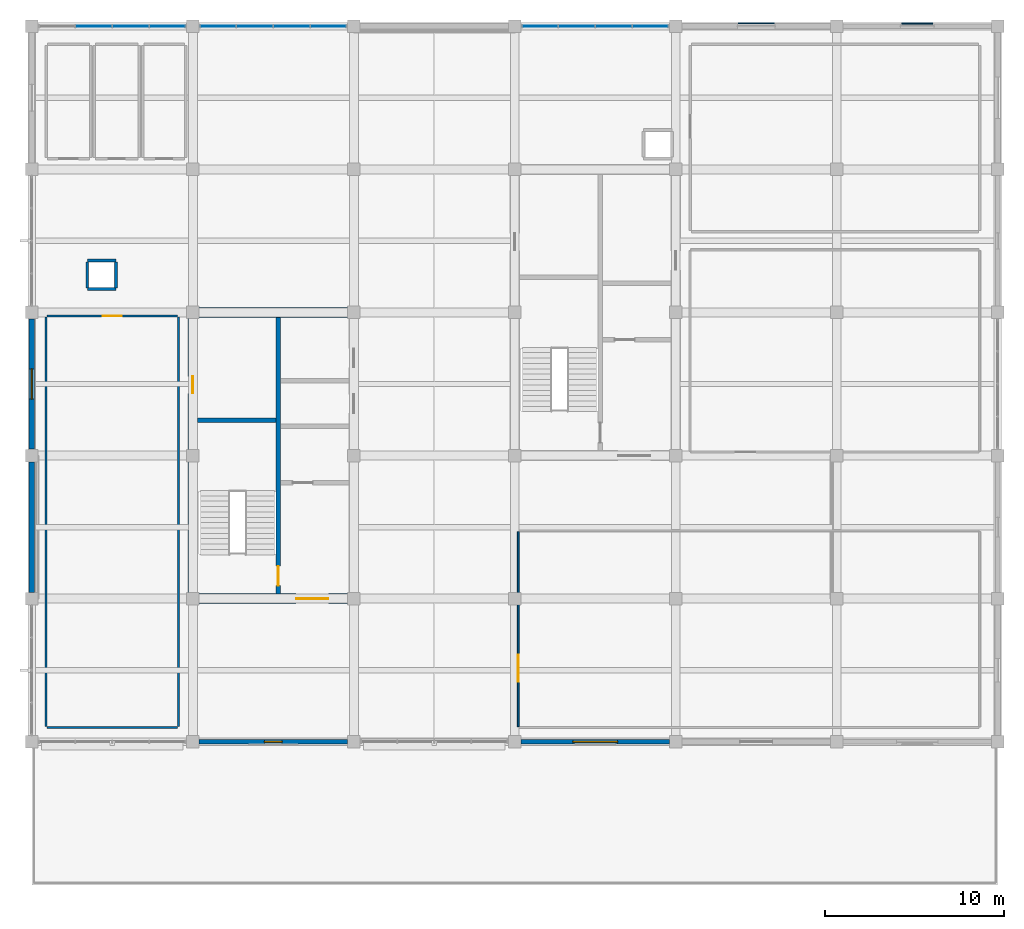
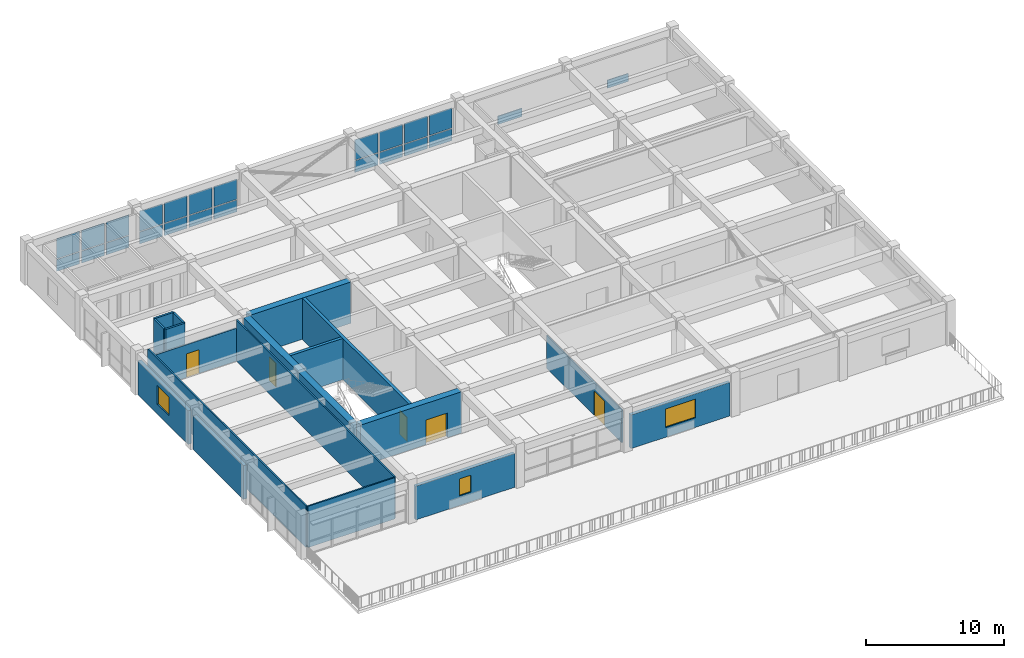
# One storey, part 10 of 14: 24 plates, 18 walls, 5 doors, 3 windows, 8 openings, 3 elements without a shape of their own.
"""IFC4 building model written with IfcOpenShell, lengths in metres."""

from ifc_helpers import new_model, si_unit, direction, frame, frame_2d, origin, place, context, subcontext, project, spatial, rectangle, extrude, material, layer, layer_set, type_object, element, fill, aggregate, save


model = new_model("IFC4")

# Units and contexts
model_context = context("Model", 3, precision=1e-05, world=origin(), true_north=direction((0.0, 1.0)))
body_context = subcontext(model_context, "Body", "Model", "MODEL_VIEW")
ifc_project = project(units=[si_unit("LENGTHUNIT", "METRE"), si_unit("AREAUNIT", "SQUARE_METRE"), si_unit("VOLUMEUNIT", "CUBIC_METRE"), si_unit("PLANEANGLEUNIT", "RADIAN"), si_unit("MASSUNIT", "GRAM", prefix="KILO")], contexts=[model_context])

# Site, building, storey
site_placement = place(None, origin())
site = spatial("IfcSite", under=ifc_project, at=site_placement, CompositionType="ELEMENT")
building_placement = place(site_placement, origin())
building = spatial("IfcBuilding", under=site, at=building_placement, Name="Zaverband Oceanarium and Marine Research Institute", CompositionType="ELEMENT")
storey_placement = place(building_placement, frame((0.0, 0.0, 57.0)))
storey = spatial("IfcBuildingStorey", under=building, at=storey_placement, Name="L14", CompositionType="ELEMENT", Elevation=57.0)

# Curtain wall, plates
ifc_material_1 = material(Name="Thermally broken anodized aluminium and solar-control glass", Category="aluminium")
curtain_wall_type = type_object("IfcCurtainWallType", Name="CW-UNIT-1800", PredefinedType="NOTDEFINED", material=ifc_material_1)
curtain_wall_1_placement = place(storey_placement, origin())
curtain_wall_1 = element("IfcCurtainWall", 1, at=curtain_wall_1_placement, inside=storey, type_object=curtain_wall_type, Name="Unitised glazed curtain wall CW-150", PredefinedType="NOTDEFINED")
ifc_material_2 = material(Name="Low-E double-glazed solar-control glass", Category="glass")
ifc_layer_1 = layer(ifc_material_2, 0.033935546875, Name="Low-E double-glazed solar-control glass")
ifc_layer_set_1 = layer_set([ifc_layer_1], Name="Low-E double-glazed solar-control glass")
plate_type_1 = type_object("IfcPlateType", Name="CWP-1820x1043", PredefinedType="CURTAIN_PANEL", material=ifc_layer_set_1)
plate_1_placement = place(storey_placement, frame((11.507568359375, 112.0, 0.050048828125), z_axis=(0.0, 0.0, 1.0), x_axis=(1.0, 0.0, 0.0)))
plate_1 = element("IfcPlate", 2, at=plate_1_placement, type_object=plate_type_1, Name="Glazed curtain wall panel CWP-1820x1043", PredefinedType="CURTAIN_PANEL", context=body_context, shape_type="SweptSolid", body=[
    extrude(rectangle(XDim=1.912353515625, YDim=0.033935546875, at=frame_2d((0.9560546875, 0.0))), origin(), (0.0, 0.0, 1.0), 1.04296875),
])
plate_2_placement = place(storey_placement, frame((13.580078125, 112.0, 0.050048828125), z_axis=(0.0, 0.0, 1.0), x_axis=(1.0, 0.0, 0.0)))
plate_2 = element("IfcPlate", 3, at=plate_2_placement, type_object=plate_type_1, Name="Glazed curtain wall panel CWP-1820x1043", PredefinedType="CURTAIN_PANEL", context=body_context, shape_type="SweptSolid", body=[
    extrude(rectangle(XDim=1.912353515625, YDim=0.033935546875, at=frame_2d((0.9560546875, 0.0))), origin(), (0.0, 0.0, 1.0), 1.04296875),
])
plate_3_placement = place(storey_placement, frame((15.652587890625, 112.0, 0.050048828125), z_axis=(0.0, 0.0, 1.0), x_axis=(1.0, 0.0, 0.0)))
plate_3 = element("IfcPlate", 4, at=plate_3_placement, type_object=plate_type_1, Name="Glazed curtain wall panel CWP-1820x1043", PredefinedType="CURTAIN_PANEL", context=body_context, shape_type="SweptSolid", body=[
    extrude(rectangle(XDim=1.912353515625, YDim=0.033935546875, at=frame_2d((0.9560546875, 0.0))), origin(), (0.0, 0.0, 1.0), 1.04296875),
])

curtain_wall_2_placement = place(storey_placement, origin())
curtain_wall_2 = element("IfcCurtainWall", 5, at=curtain_wall_2_placement, inside=storey, type_object=curtain_wall_type, Name="Unitised glazed curtain wall CW-151", PredefinedType="NOTDEFINED")
plate_4_placement = place(storey_placement, frame((18.43505859375, 112.0, 0.050048828125), z_axis=(0.0, 0.0, 1.0), x_axis=(1.0, 0.0, 0.0)))
plate_4 = element("IfcPlate", 6, at=plate_4_placement, type_object=plate_type_1, Name="Glazed curtain wall panel CWP-1820x1043", PredefinedType="CURTAIN_PANEL", context=body_context, shape_type="SweptSolid", body=[
    extrude(rectangle(XDim=1.912353515625, YDim=0.033935546875, at=frame_2d((0.9560546875, 0.0))), origin(), (0.0, 0.0, 1.0), 1.04296875),
])
plate_5_placement = place(storey_placement, frame((20.507568359375, 112.0, 0.050048828125), z_axis=(0.0, 0.0, 1.0), x_axis=(1.0, 0.0, 0.0)))
plate_5 = element("IfcPlate", 7, at=plate_5_placement, type_object=plate_type_1, Name="Glazed curtain wall panel CWP-1820x1043", PredefinedType="CURTAIN_PANEL", context=body_context, shape_type="SweptSolid", body=[
    extrude(rectangle(XDim=1.912353515625, YDim=0.033935546875, at=frame_2d((0.9560546875, 0.0))), origin(), (0.0, 0.0, 1.0), 1.04296875),
])
plate_6_placement = place(storey_placement, frame((22.580078125, 112.0, 0.050048828125), z_axis=(0.0, 0.0, 1.0), x_axis=(1.0, 0.0, 0.0)))
plate_6 = element("IfcPlate", 8, at=plate_6_placement, type_object=plate_type_1, Name="Glazed curtain wall panel CWP-1820x1043", PredefinedType="CURTAIN_PANEL", context=body_context, shape_type="SweptSolid", body=[
    extrude(rectangle(XDim=1.912353515625, YDim=0.033935546875, at=frame_2d((0.9560546875, 0.0))), origin(), (0.0, 0.0, 1.0), 1.04296875),
])
plate_7_placement = place(storey_placement, frame((24.652587890625, 112.0, 0.050048828125), z_axis=(0.0, 0.0, 1.0), x_axis=(1.0, 0.0, 0.0)))
plate_7 = element("IfcPlate", 9, at=plate_7_placement, type_object=plate_type_1, Name="Glazed curtain wall panel CWP-1820x1043", PredefinedType="CURTAIN_PANEL", context=body_context, shape_type="SweptSolid", body=[
    extrude(rectangle(XDim=1.912353515625, YDim=0.033935546875, at=frame_2d((0.9560546875, 0.0))), origin(), (0.0, 0.0, 1.0), 1.04296875),
])

curtain_wall_3_placement = place(storey_placement, origin())
curtain_wall_3 = element("IfcCurtainWall", 10, at=curtain_wall_3_placement, inside=storey, type_object=curtain_wall_type, Name="Unitised glazed curtain wall CW-152", PredefinedType="NOTDEFINED")
plate_8_placement = place(storey_placement, frame((36.43505859375, 112.0, 0.050048828125), z_axis=(0.0, 0.0, 1.0), x_axis=(1.0, 0.0, 0.0)))
plate_8 = element("IfcPlate", 11, at=plate_8_placement, type_object=plate_type_1, Name="Glazed curtain wall panel CWP-1820x1043", PredefinedType="CURTAIN_PANEL", context=body_context, shape_type="SweptSolid", body=[
    extrude(rectangle(XDim=1.912353515625, YDim=0.033935546875, at=frame_2d((0.9560546875, 0.0))), origin(), (0.0, 0.0, 1.0), 1.04296875),
])
plate_9_placement = place(storey_placement, frame((38.507568359375, 112.0, 0.050048828125), z_axis=(0.0, 0.0, 1.0), x_axis=(1.0, 0.0, 0.0)))
plate_9 = element("IfcPlate", 12, at=plate_9_placement, type_object=plate_type_1, Name="Glazed curtain wall panel CWP-1820x1043", PredefinedType="CURTAIN_PANEL", context=body_context, shape_type="SweptSolid", body=[
    extrude(rectangle(XDim=1.912353515625, YDim=0.033935546875, at=frame_2d((0.9560546875, 0.0))), origin(), (0.0, 0.0, 1.0), 1.04296875),
])
plate_10_placement = place(storey_placement, frame((40.580078125, 112.0, 0.050048828125), z_axis=(0.0, 0.0, 1.0), x_axis=(1.0, 0.0, 0.0)))
plate_10 = element("IfcPlate", 13, at=plate_10_placement, type_object=plate_type_1, Name="Glazed curtain wall panel CWP-1820x1043", PredefinedType="CURTAIN_PANEL", context=body_context, shape_type="SweptSolid", body=[
    extrude(rectangle(XDim=1.912353515625, YDim=0.033935546875, at=frame_2d((0.9560546875, 0.0))), origin(), (0.0, 0.0, 1.0), 1.04296875),
])
plate_11_placement = place(storey_placement, frame((42.652587890625, 112.0, 0.050048828125), z_axis=(0.0, 0.0, 1.0), x_axis=(1.0, 0.0, 0.0)))
plate_11 = element("IfcPlate", 14, at=plate_11_placement, type_object=plate_type_1, Name="Glazed curtain wall panel CWP-1820x1043", PredefinedType="CURTAIN_PANEL", context=body_context, shape_type="SweptSolid", body=[
    extrude(rectangle(XDim=1.912353515625, YDim=0.033935546875, at=frame_2d((0.9560546875, 0.0))), origin(), (0.0, 0.0, 1.0), 1.04296875),
])

# Plate
ifc_layer_2 = layer(ifc_material_2, 0.035888671875, Name="Low-E double-glazed solar-control glass")
ifc_layer_set_2 = layer_set([ifc_layer_2], Name="Low-E double-glazed solar-control glass")
plate_type_2 = type_object("IfcPlateType", Name="CWP-1820x1777", PredefinedType="CURTAIN_PANEL", material=ifc_layer_set_2)
plate_12_placement = place(storey_placement, frame((11.507568359375, 112.0, 1.1630859375), z_axis=(0.0, 0.0, 1.0), x_axis=(1.0, 0.0, 0.0)))
plate_12 = element("IfcPlate", 15, at=plate_12_placement, type_object=plate_type_2, Name="Glazed curtain wall panel CWP-1820x1777", PredefinedType="CURTAIN_PANEL", context=body_context, shape_type="SweptSolid", body=[
    extrude(rectangle(XDim=1.912353515625, YDim=0.035888671875, at=frame_2d((0.9560546875, 0.0))), origin(), (0.0, 0.0, 1.0), 1.77685546875),
])

plate_13_placement = place(storey_placement, frame((13.580078125, 112.0, 1.1630859375), z_axis=(0.0, 0.0, 1.0), x_axis=(1.0, 0.0, 0.0)))
plate_13 = element("IfcPlate", 16, at=plate_13_placement, type_object=plate_type_2, Name="Glazed curtain wall panel CWP-1820x1777", PredefinedType="CURTAIN_PANEL", context=body_context, shape_type="SweptSolid", body=[
    extrude(rectangle(XDim=1.912353515625, YDim=0.035888671875, at=frame_2d((0.9560546875, 0.0))), origin(), (0.0, 0.0, 1.0), 1.77685546875),
])

plate_14_placement = place(storey_placement, frame((15.652587890625, 112.0, 1.1630859375), z_axis=(0.0, 0.0, 1.0), x_axis=(1.0, 0.0, 0.0)))
plate_14 = element("IfcPlate", 17, at=plate_14_placement, type_object=plate_type_2, Name="Glazed curtain wall panel CWP-1820x1777", PredefinedType="CURTAIN_PANEL", context=body_context, shape_type="SweptSolid", body=[
    extrude(rectangle(XDim=1.912353515625, YDim=0.035888671875, at=frame_2d((0.9560546875, 0.0))), origin(), (0.0, 0.0, 1.0), 1.77685546875),
])

aggregate(curtain_wall_1, [plate_1, plate_12, plate_2, plate_13, plate_3, plate_14])

plate_15_placement = place(storey_placement, frame((18.43505859375, 112.0, 1.1630859375), z_axis=(0.0, 0.0, 1.0), x_axis=(1.0, 0.0, 0.0)))
plate_15 = element("IfcPlate", 18, at=plate_15_placement, type_object=plate_type_2, Name="Glazed curtain wall panel CWP-1820x1777", PredefinedType="CURTAIN_PANEL", context=body_context, shape_type="SweptSolid", body=[
    extrude(rectangle(XDim=1.912353515625, YDim=0.035888671875, at=frame_2d((0.9560546875, 0.0))), origin(), (0.0, 0.0, 1.0), 1.77685546875),
])

plate_16_placement = place(storey_placement, frame((20.507568359375, 112.0, 1.1630859375), z_axis=(0.0, 0.0, 1.0), x_axis=(1.0, 0.0, 0.0)))
plate_16 = element("IfcPlate", 19, at=plate_16_placement, type_object=plate_type_2, Name="Glazed curtain wall panel CWP-1820x1777", PredefinedType="CURTAIN_PANEL", context=body_context, shape_type="SweptSolid", body=[
    extrude(rectangle(XDim=1.912353515625, YDim=0.035888671875, at=frame_2d((0.9560546875, 0.0))), origin(), (0.0, 0.0, 1.0), 1.77685546875),
])

plate_17_placement = place(storey_placement, frame((22.580078125, 112.0, 1.1630859375), z_axis=(0.0, 0.0, 1.0), x_axis=(1.0, 0.0, 0.0)))
plate_17 = element("IfcPlate", 20, at=plate_17_placement, type_object=plate_type_2, Name="Glazed curtain wall panel CWP-1820x1777", PredefinedType="CURTAIN_PANEL", context=body_context, shape_type="SweptSolid", body=[
    extrude(rectangle(XDim=1.912353515625, YDim=0.035888671875, at=frame_2d((0.9560546875, 0.0))), origin(), (0.0, 0.0, 1.0), 1.77685546875),
])

plate_18_placement = place(storey_placement, frame((24.652587890625, 112.0, 1.1630859375), z_axis=(0.0, 0.0, 1.0), x_axis=(1.0, 0.0, 0.0)))
plate_18 = element("IfcPlate", 21, at=plate_18_placement, type_object=plate_type_2, Name="Glazed curtain wall panel CWP-1820x1777", PredefinedType="CURTAIN_PANEL", context=body_context, shape_type="SweptSolid", body=[
    extrude(rectangle(XDim=1.912353515625, YDim=0.035888671875, at=frame_2d((0.9560546875, 0.0))), origin(), (0.0, 0.0, 1.0), 1.77685546875),
])

aggregate(curtain_wall_2, [plate_4, plate_15, plate_5, plate_16, plate_6, plate_17, plate_7, plate_18])

plate_19_placement = place(storey_placement, frame((36.43505859375, 112.0, 1.1630859375), z_axis=(0.0, 0.0, 1.0), x_axis=(1.0, 0.0, 0.0)))
plate_19 = element("IfcPlate", 22, at=plate_19_placement, type_object=plate_type_2, Name="Glazed curtain wall panel CWP-1820x1777", PredefinedType="CURTAIN_PANEL", context=body_context, shape_type="SweptSolid", body=[
    extrude(rectangle(XDim=1.912353515625, YDim=0.035888671875, at=frame_2d((0.9560546875, 0.0))), origin(), (0.0, 0.0, 1.0), 1.77685546875),
])

plate_20_placement = place(storey_placement, frame((38.507568359375, 112.0, 1.1630859375), z_axis=(0.0, 0.0, 1.0), x_axis=(1.0, 0.0, 0.0)))
plate_20 = element("IfcPlate", 23, at=plate_20_placement, type_object=plate_type_2, Name="Glazed curtain wall panel CWP-1820x1777", PredefinedType="CURTAIN_PANEL", context=body_context, shape_type="SweptSolid", body=[
    extrude(rectangle(XDim=1.912353515625, YDim=0.035888671875, at=frame_2d((0.9560546875, 0.0))), origin(), (0.0, 0.0, 1.0), 1.77685546875),
])

plate_21_placement = place(storey_placement, frame((40.580078125, 112.0, 1.1630859375), z_axis=(0.0, 0.0, 1.0), x_axis=(1.0, 0.0, 0.0)))
plate_21 = element("IfcPlate", 24, at=plate_21_placement, type_object=plate_type_2, Name="Glazed curtain wall panel CWP-1820x1777", PredefinedType="CURTAIN_PANEL", context=body_context, shape_type="SweptSolid", body=[
    extrude(rectangle(XDim=1.912353515625, YDim=0.035888671875, at=frame_2d((0.9560546875, 0.0))), origin(), (0.0, 0.0, 1.0), 1.77685546875),
])

plate_22_placement = place(storey_placement, frame((42.652587890625, 112.0, 1.1630859375), z_axis=(0.0, 0.0, 1.0), x_axis=(1.0, 0.0, 0.0)))
plate_22 = element("IfcPlate", 25, at=plate_22_placement, type_object=plate_type_2, Name="Glazed curtain wall panel CWP-1820x1777", PredefinedType="CURTAIN_PANEL", context=body_context, shape_type="SweptSolid", body=[
    extrude(rectangle(XDim=1.912353515625, YDim=0.035888671875, at=frame_2d((0.9560546875, 0.0))), origin(), (0.0, 0.0, 1.0), 1.77685546875),
])

aggregate(curtain_wall_3, [plate_8, plate_19, plate_9, plate_20, plate_10, plate_21, plate_11, plate_22])

# Plates
ifc_material_3 = material(Name="Concrete C40/50 precast ochre", Category="concrete")
ifc_layer_3 = layer(ifc_material_3, 0.070068359375, Name="Concrete C40/50 precast ochre")
ifc_layer_set_3 = layer_set([ifc_layer_3], Name="Concrete C40/50 precast ochre")
plate_type_3 = type_object("IfcPlateType", Name="FRP-1750x700", PredefinedType="USERDEFINED", material=ifc_layer_set_3)
plate_23_placement = place(storey_placement, frame((57.625, 112.152587890625, 0.0), z_axis=(0.0, 0.0, 1.0), x_axis=(1.0, 0.0, 0.0)))
element("IfcPlate", 26, at=plate_23_placement, inside=storey, type_object=plate_type_3, Name="Geometric precast facade cladding panel FRP-1750x700", ObjectType="FLANGE_PLATE", PredefinedType="USERDEFINED", context=body_context, shape_type="SweptSolid", body=[
    extrude(rectangle(XDim=1.75, YDim=0.070068359375, at=frame_2d((0.875, 0.0))), origin(), (0.0, 0.0, 1.0), 0.699951171875),
])
ifc_layer_4 = layer(ifc_material_3, 0.070068359375, Name="Concrete C40/50 precast ochre")
ifc_layer_set_4 = layer_set([ifc_layer_4], Name="Concrete C40/50 precast ochre")
plate_type_4 = type_object("IfcPlateType", Name="FRP-2000x720", PredefinedType="USERDEFINED", material=ifc_layer_set_4)
plate_24_placement = place(storey_placement, frame((48.5, 112.1650390625, 0.0), z_axis=(0.0, 0.0, 1.0), x_axis=(1.0, 0.0, 0.0)))
element("IfcPlate", 27, at=plate_24_placement, inside=storey, type_object=plate_type_4, Name="Geometric precast facade cladding panel FRP-2000x720", ObjectType="FLANGE_PLATE", PredefinedType="USERDEFINED", context=body_context, shape_type="SweptSolid", body=[
    extrude(rectangle(XDim=2.0, YDim=0.070068359375, at=frame_2d((1.0, 0.0))), origin(), (0.0, 0.0, 1.0), 0.719970703125),
])

# Wall, opening, door
ifc_material_4 = material(Name="Concrete C50/60", Category="concrete")
ifc_layer_5 = layer(ifc_material_4, 0.550048828125, Name="Concrete C50/60")
ifc_layer_set_5 = layer_set([ifc_layer_5], Name="Concrete C50/60")
wall_type_1 = type_object("IfcWallType", Name="CW-01", PredefinedType="SHEAR", material=ifc_layer_set_5)
wall_1_placement = place(storey_placement, frame((18.27490234375, 80.0, 0.0), z_axis=(0.0, 0.0, 1.0), x_axis=(1.0, 0.0, 0.0)))
wall_1 = element("IfcWall", 28, at=wall_1_placement, inside=storey, type_object=wall_type_1, Name="Structural shear wall CW-01", PredefinedType="SHEAR", context=body_context, shape_type="SweptSolid", body=[
    extrude(rectangle(XDim=8.4501953125, YDim=0.550048828125, at=frame_2d((4.22509765625, 0.0))), origin(), (0.0, 0.0, 1.0), 3.64990234375),
])
opening_1_placement = place(wall_1_placement, frame((5.5, 0.0, 0.0)))
opening_1 = element("IfcOpeningElement", 29, at=opening_1_placement, cuts=wall_1, Name="Opening FD-02", PredefinedType="OPENING", context=body_context, shape_type="SweptSolid", body=[
    extrude(rectangle(XDim=1.800048828125, YDim=2.179931640625, at=frame_2d((0.89990234375, 1.08984375))), frame((0.0, 0.287109375, 0.0), z_axis=(0.0, -1.0, 0.0), x_axis=(1.0, 0.0, 0.0)), (0.0, 0.0, 1.0), 0.573974609375),
])
ifc_material_5 = material(Name="Steel S355", Category="steel")
door_type_1 = type_object("IfcDoorType", Name="FD-02", OperationType="DOUBLE_DOOR_SINGLE_SWING", PredefinedType="DOOR", material=ifc_material_5)
door_1_placement = place(opening_1_placement, origin())
door_1 = element("IfcDoor", 30, at=door_1_placement, inside=storey, type_object=door_type_1, Name="Protected lobby double fire door FD-02", OperationType="DOUBLE_DOOR_SINGLE_SWING", OverallHeight=2.179931640625, OverallWidth=1.800048828125, PredefinedType="DOOR", context=body_context, shape_type="SweptSolid", body=[
    extrude(rectangle(XDim=1.800048828125, YDim=2.179931640625, at=frame_2d((0.89990234375, 1.08984375))), frame((0.0, 0.02490234375, 0.0), z_axis=(0.0, -1.0, 0.0), x_axis=(1.0, 0.0, 0.0)), (0.0, 0.0, 1.0), 0.050048828125),
])
fill(opening_1, door_1)

# Wall
wall_2_placement = place(storey_placement, frame((18.27490234375, 96.0, 0.0), z_axis=(0.0, 0.0, 1.0), x_axis=(1.0, 0.0, 0.0)))
element("IfcWall", 31, at=wall_2_placement, inside=storey, type_object=wall_type_1, Name="Structural shear wall CW-01", PredefinedType="SHEAR", context=body_context, shape_type="SweptSolid", body=[
    extrude(rectangle(XDim=8.4501953125, YDim=0.550048828125, at=frame_2d((4.22509765625, 0.0))), origin(), (0.0, 0.0, 1.0), 3.64990234375),
])

# Wall, opening, door
wall_3_placement = place(storey_placement, frame((18.0, 80.27490234375, 0.0), z_axis=(0.0, 0.0, 1.0), x_axis=(0.0, 1.0, 0.0)))
wall_3 = element("IfcWall", 32, at=wall_3_placement, inside=storey, type_object=wall_type_1, Name="Structural shear wall CW-01", PredefinedType="SHEAR", context=body_context, shape_type="SweptSolid", body=[
    extrude(rectangle(XDim=15.4501953125, YDim=0.550048828125, at=frame_2d((7.72509765625, 0.0))), origin(), (0.0, 0.0, 1.0), 3.64990234375),
])
opening_2_placement = place(wall_3_placement, frame((11.199951171875, 0.0, 0.0)))
opening_2 = element("IfcOpeningElement", 33, at=opening_2_placement, cuts=wall_3, Name="Opening FD-03", PredefinedType="OPENING", context=body_context, shape_type="SweptSolid", body=[
    extrude(rectangle(XDim=0.949951171875, YDim=2.10009765625, at=frame_2d((0.47509765625, 1.050048828125))), frame((0.0, 0.287109375, 0.0), z_axis=(0.0, -1.0, 0.0), x_axis=(1.0, 0.0, 0.0)), (0.0, 0.0, 1.0), 0.573974609375),
])
door_type_2 = type_object("IfcDoorType", Name="FD-03", OperationType="NOTDEFINED", PredefinedType="DOOR", material=ifc_material_5)
door_2_placement = place(opening_2_placement, origin())
door_2 = element("IfcDoor", 34, at=door_2_placement, inside=storey, type_object=door_type_2, Name="Service riser access fire door FD-03", OperationType="SINGLE_SWING_RIGHT", OverallHeight=2.10009765625, OverallWidth=0.949951171875, PredefinedType="DOOR", context=body_context, shape_type="SweptSolid", body=[
    extrude(rectangle(XDim=0.949951171875, YDim=2.10009765625, at=frame_2d((0.47509765625, 1.050048828125))), frame((0.0, 0.02490234375, 0.0), z_axis=(0.0, -1.0, 0.0), x_axis=(1.0, 0.0, 0.0)), (0.0, 0.0, 1.0), 0.050048828125),
])
fill(opening_2, door_2)

# Wall, opening, window
ifc_material_6 = material(Name="Concrete C40/50 precast", Category="concrete")
ifc_layer_6 = layer(ifc_material_6, 0.264892578125, Name="Concrete C40/50 precast")
ifc_layer_set_6 = layer_set([ifc_layer_6], Name="Concrete C40/50 precast")
wall_type_2 = type_object("IfcWallType", Name="EW-265", PredefinedType="STANDARD", material=ifc_layer_set_6)
wall_4_placement = place(storey_placement, frame((18.35498046875, 72.0, 0.0), z_axis=(0.0, 0.0, 1.0), x_axis=(1.0, 0.0, 0.0)))
wall_4 = element("IfcWall", 35, at=wall_4_placement, inside=storey, type_object=wall_type_2, Name="Exterior infill wall EW-265", PredefinedType="STANDARD", context=body_context, shape_type="SweptSolid", body=[
    extrude(rectangle(XDim=8.2900390625, YDim=0.264892578125, at=frame_2d((4.14501953125, 0.0))), origin(), (0.0, 0.0, 1.0), 2.97998046875),
])
opening_3_placement = place(wall_4_placement, frame((3.64501953125, 0.0, 0.85009765625)))
opening_3 = element("IfcOpeningElement", 36, at=opening_3_placement, cuts=wall_4, Name="Opening WN-1000x1500", PredefinedType="OPENING", context=body_context, shape_type="SweptSolid", body=[
    extrude(rectangle(XDim=1.0, YDim=1.5, at=frame_2d((0.5, 0.75))), frame((0.0, 0.14453125, 0.0), z_axis=(0.0, -1.0, 0.0), x_axis=(1.0, 0.0, 0.0)), (0.0, 0.0, 1.0), 0.288818359375),
])
window_type_1 = type_object("IfcWindowType", Name="WN-1000x1500", PartitioningType="SINGLE_PANEL", PredefinedType="WINDOW", material=ifc_material_1)
window_1_placement = place(opening_3_placement, origin())
window_1 = element("IfcWindow", 37, at=window_1_placement, inside=storey, type_object=window_type_1, Name="Fixed / casement exterior window WN-1000x1500", OverallHeight=1.5, OverallWidth=1.0, PartitioningType="SINGLE_PANEL", PredefinedType="WINDOW", context=body_context, shape_type="SweptSolid", body=[
    extrude(rectangle(XDim=1.0, YDim=1.5, at=frame_2d((0.5, 0.75))), frame((0.0, 0.030029296875, 0.0), z_axis=(0.0, -1.0, 0.0), x_axis=(1.0, 0.0, 0.0)), (0.0, 0.0, 1.0), 0.06005859375),
])
fill(opening_3, window_1)

wall_5_placement = place(storey_placement, frame((36.35498046875, 72.0, 0.0), z_axis=(0.0, 0.0, 1.0), x_axis=(1.0, 0.0, 0.0)))
wall_5 = element("IfcWall", 38, at=wall_5_placement, inside=storey, type_object=wall_type_2, Name="Exterior infill wall EW-265", PredefinedType="STANDARD", context=body_context, shape_type="SweptSolid", body=[
    extrude(rectangle(XDim=8.2900390625, YDim=0.264892578125, at=frame_2d((4.14501953125, 0.0))), origin(), (0.0, 0.0, 1.0), 2.97998046875),
])
opening_4_placement = place(wall_5_placement, frame((2.89501953125, 0.0, 0.85009765625)))
opening_4 = element("IfcOpeningElement", 39, at=opening_4_placement, cuts=wall_5, Name="Opening WN-2500x1650", PredefinedType="OPENING", context=body_context, shape_type="SweptSolid", body=[
    extrude(rectangle(XDim=2.5, YDim=1.64990234375, at=frame_2d((1.25, 0.824951171875))), frame((0.0, 0.14453125, 0.0), z_axis=(0.0, -1.0, 0.0), x_axis=(1.0, 0.0, 0.0)), (0.0, 0.0, 1.0), 0.288818359375),
])
window_type_2 = type_object("IfcWindowType", Name="WN-2500x1650", PartitioningType="SINGLE_PANEL", PredefinedType="WINDOW", material=ifc_material_1)
window_2_placement = place(opening_4_placement, origin())
window_2 = element("IfcWindow", 40, at=window_2_placement, inside=storey, type_object=window_type_2, Name="Fixed / casement exterior window WN-2500x1650", OverallHeight=1.64990234375, OverallWidth=2.5, PartitioningType="SINGLE_PANEL", PredefinedType="WINDOW", context=body_context, shape_type="SweptSolid", body=[
    extrude(rectangle(XDim=2.5, YDim=1.64990234375, at=frame_2d((1.25, 0.824951171875))), frame((0.0, 0.030029296875, 0.0), z_axis=(0.0, -1.0, 0.0), x_axis=(1.0, 0.0, 0.0)), (0.0, 0.0, 1.0), 0.06005859375),
])
fill(opening_4, window_2)

# Wall
ifc_layer_7 = layer(ifc_material_6, 0.2900390625, Name="Concrete C40/50 precast")
ifc_layer_set_7 = layer_set([ifc_layer_7], Name="Concrete C40/50 precast")
wall_type_3 = type_object("IfcWallType", Name="EW-290", PredefinedType="STANDARD", material=ifc_layer_set_7)
wall_6_placement = place(storey_placement, frame((9.0, 80.35498046875, 0.0), z_axis=(0.0, 0.0, 1.0), x_axis=(0.0, 1.0, 0.0)))
element("IfcWall", 41, at=wall_6_placement, inside=storey, type_object=wall_type_3, Name="Exterior infill wall EW-290", PredefinedType="STANDARD", context=body_context, shape_type="SweptSolid", body=[
    extrude(rectangle(XDim=7.2900390625, YDim=0.2900390625, at=frame_2d((3.64501953125, 0.0))), origin(), (0.0, 0.0, 1.0), 2.97998046875),
])

# Wall, opening, window
wall_7_placement = place(storey_placement, frame((9.0, 88.35498046875, 0.0), z_axis=(0.0, 0.0, 1.0), x_axis=(0.0, 1.0, 0.0)))
wall_7 = element("IfcWall", 42, at=wall_7_placement, inside=storey, type_object=wall_type_3, Name="Exterior infill wall EW-290", PredefinedType="STANDARD", context=body_context, shape_type="SweptSolid", body=[
    extrude(rectangle(XDim=7.2900390625, YDim=0.2900390625, at=frame_2d((3.64501953125, 0.0))), origin(), (0.0, 0.0, 1.0), 2.97998046875),
])
opening_5_placement = place(wall_7_placement, frame((2.794921875, 0.0, 0.85009765625)))
opening_5 = element("IfcOpeningElement", 43, at=opening_5_placement, cuts=wall_7, Name="Opening WN-1700x1650", PredefinedType="OPENING", context=body_context, shape_type="SweptSolid", body=[
    extrude(rectangle(XDim=1.699951171875, YDim=1.64990234375, at=frame_2d((0.85009765625, 0.824951171875))), frame((0.0, 0.156982421875, 0.0), z_axis=(0.0, -1.0, 0.0), x_axis=(1.0, 0.0, 0.0)), (0.0, 0.0, 1.0), 0.31396484375),
])
window_type_3 = type_object("IfcWindowType", Name="WN-1700x1650", PartitioningType="SINGLE_PANEL", PredefinedType="WINDOW", material=ifc_material_1)
window_3_placement = place(opening_5_placement, origin())
window_3 = element("IfcWindow", 44, at=window_3_placement, inside=storey, type_object=window_type_3, Name="Fixed / casement exterior window WN-1700x1650", OverallHeight=1.64990234375, OverallWidth=1.699951171875, PartitioningType="SINGLE_PANEL", PredefinedType="WINDOW", context=body_context, shape_type="SweptSolid", body=[
    extrude(rectangle(XDim=1.699951171875, YDim=1.64990234375, at=frame_2d((0.85009765625, 0.824951171875))), frame((0.0, 0.030029296875, 0.0), z_axis=(0.0, -1.0, 0.0), x_axis=(1.0, 0.0, 0.0)), (0.0, 0.0, 1.0), 0.06005859375),
])
fill(opening_5, window_3)

# Wall, opening, door
ifc_material_7 = material(Name="Framed fire-rated glass laboratory partition", Category="glass")
ifc_layer_8 = layer(ifc_material_7, 0.10009765625, Name="Framed fire-rated glass laboratory partition")
ifc_layer_set_8 = layer_set([ifc_layer_8], Name="Framed fire-rated glass laboratory partition")
wall_type_4 = type_object("IfcWallType", Name="PT-100-GL", PredefinedType="PARTITIONING", material=ifc_layer_set_8)
wall_8_placement = place(storey_placement, frame((36.199951171875, 72.85009765625, 0.0), z_axis=(0.0, 0.0, 1.0), x_axis=(0.0, 1.0, 0.0)))
wall_8 = element("IfcWall", 45, at=wall_8_placement, inside=storey, type_object=wall_type_4, Name="Internal partition PT-100-GL", PredefinedType="PARTITIONING", context=body_context, shape_type="SweptSolid", body=[
    extrude(rectangle(XDim=10.89990234375, YDim=0.10009765625, at=frame_2d((5.449951171875, 0.0))), origin(), (0.0, 0.0, 1.0), 2.89990234375),
])
opening_6_placement = place(wall_8_placement, frame((2.5, 0.0, 0.0)))
opening_6 = element("IfcOpeningElement", 46, at=opening_6_placement, cuts=wall_8, Name="Opening ID-1520x2150", PredefinedType="OPENING", context=body_context, shape_type="SweptSolid", body=[
    extrude(rectangle(XDim=1.52001953125, YDim=2.14990234375, at=frame_2d((0.760009765625, 1.074951171875))), frame((0.0, 0.06201171875, 0.0), z_axis=(0.0, -1.0, 0.0), x_axis=(1.0, 0.0, 0.0)), (0.0, 0.0, 1.0), 0.1240234375),
])
ifc_material_8 = material(Name="Hardwood-veneered acoustic timber", Category="wood")
door_type_3 = type_object("IfcDoorType", Name="ID-1520x2150", OperationType="DOUBLE_DOOR_SINGLE_SWING", PredefinedType="DOOR", material=ifc_material_8)
door_3_placement = place(opening_6_placement, origin())
door_3 = element("IfcDoor", 47, at=door_3_placement, inside=storey, type_object=door_type_3, Name="Seminar double swing door ID-1520x2150", OperationType="DOUBLE_DOOR_SINGLE_SWING", OverallHeight=2.14990234375, OverallWidth=1.52001953125, PredefinedType="DOOR", context=body_context, shape_type="SweptSolid", body=[
    extrude(rectangle(XDim=1.52001953125, YDim=2.14990234375, at=frame_2d((0.760009765625, 1.074951171875))), frame((0.0, 0.02490234375, 0.0), z_axis=(0.0, -1.0, 0.0), x_axis=(1.0, 0.0, 0.0)), (0.0, 0.0, 1.0), 0.050048828125),
])
fill(opening_6, door_3)

# Wall
ifc_material_9 = material(Name="Insulated metal-stud office partition")
ifc_layer_9 = layer(ifc_material_9, 0.1201171875, Name="Insulated metal-stud office partition")
ifc_layer_set_9 = layer_set([ifc_layer_9], Name="Insulated metal-stud office partition")
wall_type_5 = type_object("IfcWallType", Name="PT-120-OF", PredefinedType="PARTITIONING", material=ifc_layer_set_9)
wall_9_placement = place(storey_placement, frame((9.860107421875, 72.800048828125, 0.0), z_axis=(0.0, 0.0, 1.0), x_axis=(1.0, 0.0, 0.0)))
element("IfcWall", 48, at=wall_9_placement, inside=storey, type_object=wall_type_5, Name="Internal partition PT-120-OF", PredefinedType="PARTITIONING", context=body_context, shape_type="SweptSolid", body=[
    extrude(rectangle(XDim=7.27978515625, YDim=0.1201171875, at=frame_2d((3.639892578125, 0.0))), origin(), (0.0, 0.0, 1.0), 3.64990234375),
])

# Wall, opening, door
wall_10_placement = place(storey_placement, frame((9.860107421875, 95.800048828125, 0.0), z_axis=(0.0, 0.0, 1.0), x_axis=(1.0, 0.0, 0.0)))
wall_10 = element("IfcWall", 49, at=wall_10_placement, inside=storey, type_object=wall_type_5, Name="Internal partition PT-120-OF", PredefinedType="PARTITIONING", context=body_context, shape_type="SweptSolid", body=[
    extrude(rectangle(XDim=7.27978515625, YDim=0.1201171875, at=frame_2d((3.639892578125, 0.0))), origin(), (0.0, 0.0, 1.0), 2.89990234375),
])
opening_7_placement = place(wall_10_placement, frame((3.114990234375, 0.0, 0.0)))
opening_7 = element("IfcOpeningElement", 50, at=opening_7_placement, cuts=wall_10, Name="Opening ID-1050x2100", PredefinedType="OPENING", context=body_context, shape_type="SweptSolid", body=[
    extrude(rectangle(XDim=1.050048828125, YDim=2.10009765625, at=frame_2d((0.52490234375, 1.050048828125))), frame((0.0, 0.072021484375, 0.0), z_axis=(0.0, -1.0, 0.0), x_axis=(1.0, 0.0, 0.0)), (0.0, 0.0, 1.0), 0.14404296875),
])
door_type_4 = type_object("IfcDoorType", Name="ID-1050x2100", OperationType="NOTDEFINED", PredefinedType="DOOR", material=ifc_material_8)
door_4_placement = place(opening_7_placement, origin())
door_4 = element("IfcDoor", 51, at=door_4_placement, inside=storey, type_object=door_type_4, Name="Dry laboratory door ID-1050x2100", OperationType="SINGLE_SWING_RIGHT", OverallHeight=2.10009765625, OverallWidth=1.050048828125, PredefinedType="DOOR", context=body_context, shape_type="SweptSolid", body=[
    extrude(rectangle(XDim=1.050048828125, YDim=2.10009765625, at=frame_2d((0.52490234375, 1.050048828125))), frame((0.0, 0.02490234375, 0.0), z_axis=(0.0, -1.0, 0.0), x_axis=(1.0, 0.0, 0.0)), (0.0, 0.0, 1.0), 0.050048828125),
])
fill(opening_7, door_4)

# Walls
for number, where, z_axis, x_axis, name in (
    (52, (9.800048828125, 72.860107421875, 0.0), (0.0, 0.0, 1.0), (0.0, 1.0, 0.0), "Internal partition PT-120-OF"),
    (53, (17.199951171875, 72.860107421875, 0.0), (0.0, 0.0, 1.0), (0.0, 1.0, 0.0), "Internal partition PT-120-OF"),
):
    element("IfcWall", number, at=place(storey_placement, frame(where, z_axis=z_axis, x_axis=x_axis)), inside=storey, type_object=wall_type_5, Name=name, PredefinedType="PARTITIONING", context=body_context, shape_type="SweptSolid", body=[
        extrude(rectangle(XDim=22.8798828125, YDim=0.1201171875, at=frame_2d((11.43994140625, 0.0))), origin(), (0.0, 0.0, 1.0), 3.64990234375),
    ])
ifc_material_10 = material(Name="Corridor rated drywall partition")
ifc_layer_10 = layer(ifc_material_10, 0.1650390625, Name="Corridor rated drywall partition")
ifc_layer_set_10 = layer_set([ifc_layer_10], Name="Corridor rated drywall partition")
wall_type_6 = type_object("IfcWallType", Name="PT-165-CR", PredefinedType="PARTITIONING", material=ifc_layer_set_10)
for number, where, z_axis, x_axis, name in (
    (54, (12.10009765625, 97.300048828125, 0.0), (0.0, 0.0, 1.0), (1.0, 0.0, 0.0), "Internal partition PT-165-CR"),
    (55, (12.10009765625, 98.89990234375, 0.0), (0.0, 0.0, 1.0), (1.0, 0.0, 0.0), "Internal partition PT-165-CR"),
):
    element("IfcWall", number, at=place(storey_placement, frame(where, z_axis=z_axis, x_axis=x_axis)), inside=storey, type_object=wall_type_6, Name=name, PredefinedType="PARTITIONING", context=body_context, shape_type="SweptSolid", body=[
        extrude(rectangle(XDim=1.599853515625, YDim=0.1650390625, at=frame_2d((0.7998046875, 0.0))), origin(), (0.0, 0.0, 1.0), 3.64990234375),
    ])
for number, where, z_axis, x_axis, name in (
    (56, (12.10009765625, 97.3798828125, 0.0), (0.0, 0.0, 1.0), (0.0, 1.0, 0.0), "Internal partition PT-165-CR"),
    (57, (13.699951171875, 97.3798828125, 0.0), (0.0, 0.0, 1.0), (0.0, 1.0, 0.0), "Internal partition PT-165-CR"),
):
    element("IfcWall", number, at=place(storey_placement, frame(where, z_axis=z_axis, x_axis=x_axis)), inside=storey, type_object=wall_type_6, Name=name, PredefinedType="PARTITIONING", context=body_context, shape_type="SweptSolid", body=[
        extrude(rectangle(XDim=1.440185546875, YDim=0.1650390625, at=frame_2d((0.72021484375, 0.0))), origin(), (0.0, 0.0, 1.0), 3.64990234375),
    ])

# Wall, opening, door
ifc_layer_11 = layer(ifc_material_4, 0.25, Name="Concrete C50/60")
ifc_layer_set_11 = layer_set([ifc_layer_11], Name="Concrete C50/60")
wall_type_7 = type_object("IfcWallType", Name="PW-CORE-250", PredefinedType="SOLIDWALL", material=ifc_layer_set_11)
wall_11_placement = place(storey_placement, frame((22.77490234375, 80.27490234375, 0.0), z_axis=(0.0, 0.0, 1.0), x_axis=(0.0, 1.0, 0.0)))
wall_11 = element("IfcWall", 58, at=wall_11_placement, inside=storey, type_object=wall_type_7, Name="Structural concrete wall PW-CORE-250", PredefinedType="SOLIDWALL", context=body_context, shape_type="SweptSolid", body=[
    extrude(rectangle(XDim=15.4501953125, YDim=0.25, at=frame_2d((7.72509765625, 0.0))), origin(), (0.0, 0.0, 1.0), 3.64990234375),
])
opening_8_placement = place(wall_11_placement, frame((0.449951171875, 0.0, 0.0)))
opening_8 = element("IfcOpeningElement", 59, at=opening_8_placement, cuts=wall_11, Name="Opening FD-01", PredefinedType="OPENING", context=body_context, shape_type="SweptSolid", body=[
    extrude(rectangle(XDim=1.10009765625, YDim=2.14990234375, at=frame_2d((0.550048828125, 1.074951171875))), frame((0.0, 0.136962890625, 0.0), z_axis=(0.0, -1.0, 0.0), x_axis=(1.0, 0.0, 0.0)), (0.0, 0.0, 1.0), 0.27392578125),
])
door_type_5 = type_object("IfcDoorType", Name="FD-01", OperationType="NOTDEFINED", PredefinedType="DOOR", material=ifc_material_5)
door_5_placement = place(opening_8_placement, origin())
door_5 = element("IfcDoor", 60, at=door_5_placement, inside=storey, type_object=door_type_5, Name="Core stair / lobby fire door FD-01", OperationType="SINGLE_SWING_LEFT", OverallHeight=2.14990234375, OverallWidth=1.10009765625, PredefinedType="DOOR", context=body_context, shape_type="SweptSolid", body=[
    extrude(rectangle(XDim=1.10009765625, YDim=2.14990234375, at=frame_2d((0.550048828125, 1.074951171875))), frame((0.0, 0.02490234375, 0.0), z_axis=(0.0, -1.0, 0.0), x_axis=(1.0, 0.0, 0.0)), (0.0, 0.0, 1.0), 0.050048828125),
])
fill(opening_8, door_5)

# Wall
wall_12_placement = place(storey_placement, frame((18.27490234375, 89.97509765625, 0.0), z_axis=(0.0, 0.0, 1.0), x_axis=(1.0, 0.0, 0.0)))
element("IfcWall", 61, at=wall_12_placement, inside=storey, type_object=wall_type_7, Name="Structural concrete wall PW-CORE-250", PredefinedType="SOLIDWALL", context=body_context, shape_type="SweptSolid", body=[
    extrude(rectangle(XDim=4.3701171875, YDim=0.25, at=frame_2d((2.18505859375, 0.0))), origin(), (0.0, 0.0, 1.0), 3.64990234375),
])

save(model, "model.ifc")
